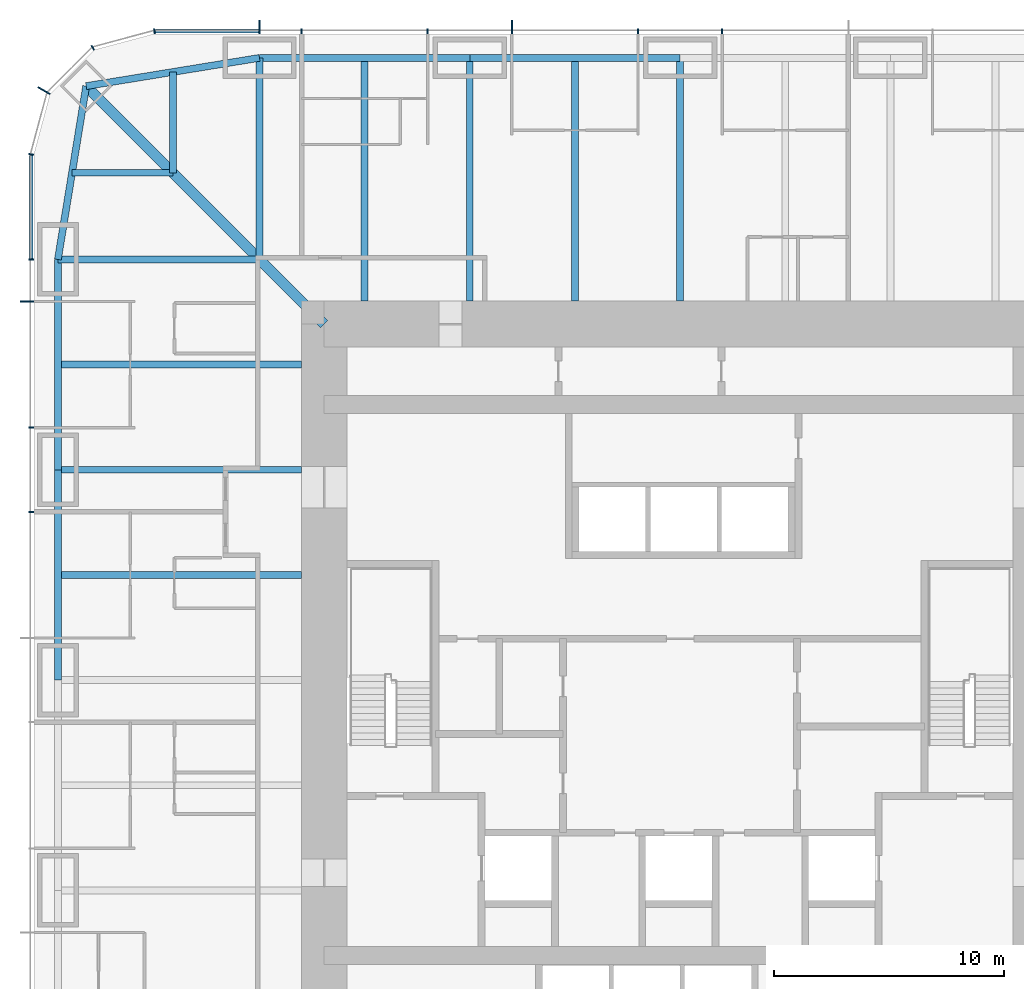
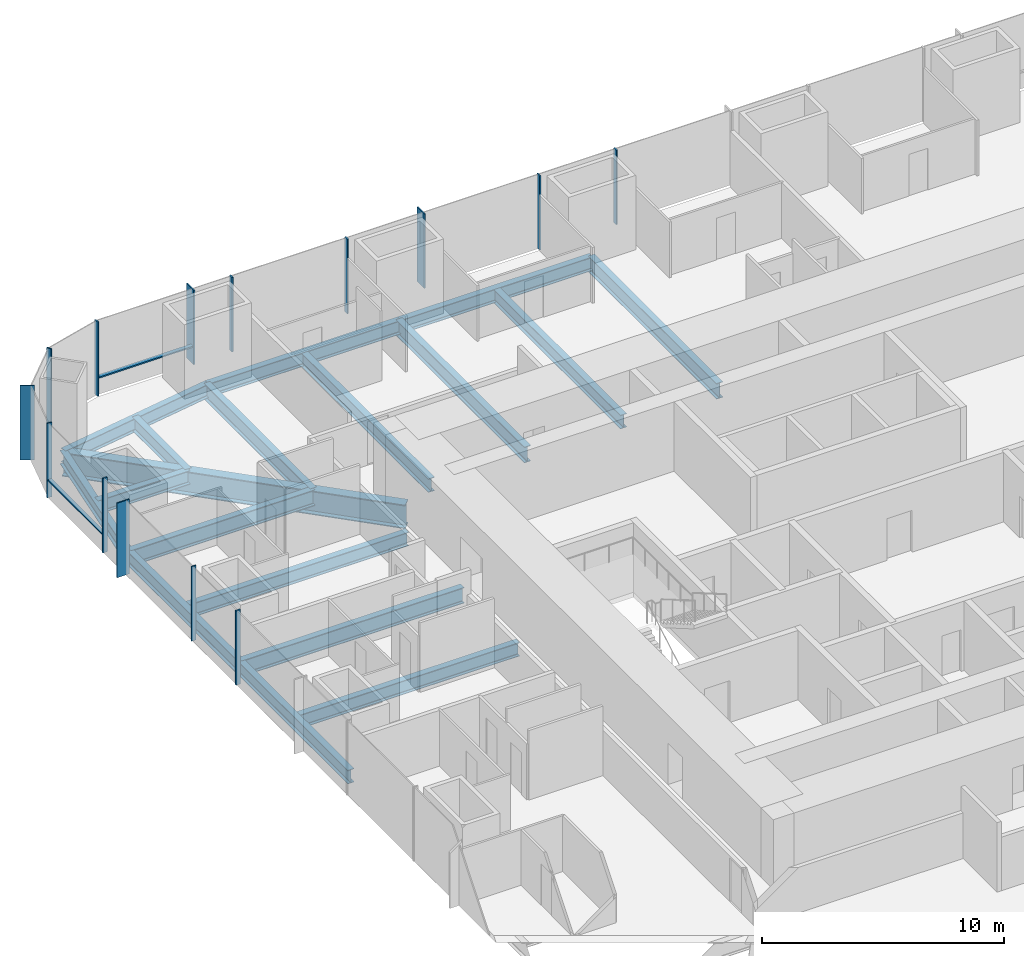
# One storey, part 4 of 12: 18 beams, 16 members, 3 elements without a shape of their own.
"""IFC4 building model written with IfcOpenShell, lengths in metres."""

from ifc_helpers import new_model, si_unit, direction, frame, origin, origin_2d, place, context, subcontext, project, spatial, rectangle, i_section, extrude, material, material_profile, profile_set, type_object, element, aggregate, save


model = new_model("IFC4")

# Units and contexts
model_context = context("Model", 3, precision=1e-05, world=origin(), true_north=direction((0.0, 1.0)))
body_context = subcontext(model_context, "Body", "Model", "MODEL_VIEW")
ifc_project = project(units=[si_unit("LENGTHUNIT", "METRE"), si_unit("AREAUNIT", "SQUARE_METRE"), si_unit("VOLUMEUNIT", "CUBIC_METRE"), si_unit("PLANEANGLEUNIT", "RADIAN"), si_unit("MASSUNIT", "GRAM", prefix="KILO")], contexts=[model_context])

# Site, building, storey
site_placement = place(None, origin())
site = spatial("IfcSite", under=ifc_project, at=site_placement, CompositionType="ELEMENT")
building_placement = place(site_placement, origin())
building = spatial("IfcBuilding", under=site, at=building_placement, Name="Khuree Lantern Residences", CompositionType="ELEMENT")
storey_placement = place(building_placement, frame((0.0, 0.0, 178.5)))
storey = spatial("IfcBuildingStorey", under=building, at=storey_placement, Name="L45", CompositionType="ELEMENT", Elevation=178.5)

# Beams
ifc_material_1 = material(Name="Steel S355", Category="steel")
ifc_material_profile_1 = material_profile(ifc_material_1, i_section(OverallWidth=0.300048828125, OverallDepth=0.68994140625, WebThickness=0.014404296875, FlangeThickness=0.027099609375, FilletRadius=0.027099609375, at=origin_2d()), Name="HE 700 A")
ifc_profile_set_1 = profile_set([ifc_material_profile_1], Name="Steel S355")
beam_type_1 = type_object("IfcBeamType", Name="B-25A SECONDARY BEAM HE 700 A", PredefinedType="BEAM", material=ifc_profile_set_1)
for number, where, z_axis, x_axis, name in (
    (1, (-13.739990234375, 27.10009765625, -0.594970703125), (0.0, -1.0, 0.0), (1.0, 0.0, 0.0), "Secondary beam N1"),
    (2, (-4.580078125, 27.10009765625, -0.594970703125), (0.0, -1.0, 0.0), (1.0, 0.0, 0.0), "Secondary beam N2"),
    (3, (-27.10009765625, 4.580078125, -0.594970703125), (1.0, 0.0, 0.0), (0.0, 1.0, 0.0), "Secondary beam W4"),
    (4, (-27.10009765625, 13.739990234375, -0.594970703125), (1.0, 0.0, 0.0), (0.0, 1.0, 0.0), "Secondary beam W5"),
):
    element("IfcBeam", number, at=place(storey_placement, frame(where, z_axis=z_axis, x_axis=x_axis)), inside=storey, type_object=beam_type_1, Name=name, PredefinedType="BEAM", context=body_context, shape_type="SweptSolid", body=[
        extrude(i_section(OverallWidth=0.300048828125, OverallDepth=0.68994140625, WebThickness=0.014404296875, FlangeThickness=0.027099609375, FilletRadius=0.027099609375, at=origin_2d()), origin(), (0.0, 0.0, 1.0), 10.60009765625),
    ])
for number, where, z_axis, x_axis, name in (
    (5, (-26.48486328125, 22.094970703125, -0.594970703125), (1.0, 0.0, 0.0), (0.0, 1.0, 0.0), "Secondary beam W6"),
    (6, (-22.094970703125, 26.48486328125, -0.594970703125), (0.0, -1.0, 0.0), (1.0, 0.0, 0.0), "Secondary beam N6"),
):
    element("IfcBeam", number, at=place(storey_placement, frame(where, z_axis=z_axis, x_axis=x_axis)), inside=storey, type_object=beam_type_1, Name=name, PredefinedType="BEAM", context=body_context, shape_type="SweptSolid", body=[
        extrude(i_section(OverallWidth=0.300048828125, OverallDepth=0.68994140625, WebThickness=0.014404296875, FlangeThickness=0.027099609375, FilletRadius=0.027099609375, at=origin_2d()), origin(), (0.0, 0.0, 1.0), 4.389892578125),
    ])
ifc_material_profile_2 = material_profile(ifc_material_1, i_section(OverallWidth=0.300048828125, OverallDepth=0.68994140625, WebThickness=0.014404296875, FlangeThickness=0.027099609375, FilletRadius=0.027099609375, at=origin_2d()), Name="HE 700 A")
ifc_profile_set_2 = profile_set([ifc_material_profile_2], Name="Steel S355")
beam_type_2 = type_object("IfcBeamType", Name="E-25 SPANDREL BEAM HE 700 A", PredefinedType="SPANDREL", material=ifc_profile_set_2)
beam_1_placement = place(storey_placement, frame((-18.320068359375, 27.10009765625, -0.594970703125), z_axis=(1.0, 0.0, 0.0), x_axis=(0.0, 1.0, 0.0)))
element("IfcBeam", 7, at=beam_1_placement, inside=storey, type_object=beam_type_2, Name="Spandrel beam N1", PredefinedType="SPANDREL", context=body_context, shape_type="SweptSolid", body=[
    extrude(i_section(OverallWidth=0.300048828125, OverallDepth=0.68994140625, WebThickness=0.014404296875, FlangeThickness=0.027099609375, FilletRadius=0.027099609375, at=origin_2d()), origin(), (0.0, 0.0, 1.0), 9.16015625),
])
for number, where, z_axis, x_axis, name in (
    (8, (-9.159912109375, 27.10009765625, -0.594970703125), (1.0, 0.0, 0.0), (0.0, 1.0, 0.0), "Spandrel beam N2"),
    (9, (-27.10009765625, 0.0, -0.594970703125), (0.0, 1.0, 0.0), (-1.0, 0.0, 0.0), "Spandrel beam W4"),
):
    element("IfcBeam", number, at=place(storey_placement, frame(where, z_axis=z_axis, x_axis=x_axis)), inside=storey, type_object=beam_type_2, Name=name, PredefinedType="SPANDREL", context=body_context, shape_type="SweptSolid", body=[
        extrude(i_section(OverallWidth=0.300048828125, OverallDepth=0.68994140625, WebThickness=0.014404296875, FlangeThickness=0.027099609375, FilletRadius=0.027099609375, at=origin_2d()), origin(), (0.0, 0.0, 1.0), 9.159912109375),
    ])
beam_2_placement = place(storey_placement, frame((-27.10009765625, 9.159912109375, -0.594970703125), z_axis=(0.0, 1.0, 0.0), x_axis=(-1.0, 0.0, 0.0)))
element("IfcBeam", 10, at=beam_2_placement, inside=storey, type_object=beam_type_2, Name="Spandrel beam W5", PredefinedType="SPANDREL", context=body_context, shape_type="SweptSolid", body=[
    extrude(i_section(OverallWidth=0.300048828125, OverallDepth=0.68994140625, WebThickness=0.014404296875, FlangeThickness=0.027099609375, FilletRadius=0.027099609375, at=origin_2d()), origin(), (0.0, 0.0, 1.0), 9.16015625),
])
for number, where, z_axis, x_axis, name in (
    (11, (-27.10009765625, 18.320068359375, -0.594970703125), (0.160826723833, 0.986982656839, 0.0), (-0.986982656839, 0.160826723833, 0.0), "Spandrel beam W6"),
    (12, (-25.869873046875, 25.869873046875, -0.594970703125), (0.986982656839, 0.160826723833, 0.0), (-0.160826723833, 0.986982656839, 0.0), "Spandrel beam N6"),
):
    element("IfcBeam", number, at=place(storey_placement, frame(where, z_axis=z_axis, x_axis=x_axis)), inside=storey, type_object=beam_type_2, Name=name, PredefinedType="SPANDREL", context=body_context, shape_type="SweptSolid", body=[
        extrude(i_section(OverallWidth=0.300048828125, OverallDepth=0.68994140625, WebThickness=0.014404296875, FlangeThickness=0.027099609375, FilletRadius=0.027099609375, at=origin_2d()), origin(), (0.0, 0.0, 1.0), 7.6494140625),
    ])

# Curtain wall, members
ifc_material_2 = material(Name="Bronze anodised aluminium", Category="aluminium")
curtain_wall_type_1 = type_object("IfcCurtainWallType", Name="CW-T1 TOWER FACE CURTAIN WALL", PredefinedType="USERDEFINED", material=ifc_material_2)
curtain_wall_1_placement = place(storey_placement, origin())
curtain_wall_1 = element("IfcCurtainWall", 13, at=curtain_wall_1_placement, inside=storey, type_object=curtain_wall_type_1, Name="L45 NORTH FACE CURTAIN WALL", ObjectType="Stick-built curtain wall", PredefinedType="USERDEFINED")
ifc_material_profile_3 = material_profile(ifc_material_2, rectangle(XDim=0.06494140625, YDim=0.60009765625, at=origin_2d()), Name="F1 65X600")
ifc_profile_set_3 = profile_set([ifc_material_profile_3], Name="Bronze anodised aluminium")
member_type_1 = type_object("IfcMemberType", Name="F1 BRONZE FIN MULLION TOWER 65X600", PredefinedType="MULLION", material=ifc_profile_set_3)
member_1_placement = place(storey_placement, frame((-7.327880859375, 28.449951171875, 0.0), z_axis=(0.0, 0.0, 1.0), x_axis=(-1.0, 0.0, 0.0)))
member_1 = element("IfcMember", 14, at=member_1_placement, type_object=member_type_1, Name="L45 NORTH FACE FIN MULLION 25", PredefinedType="MULLION", context=body_context, shape_type="SweptSolid", body=[
    extrude(rectangle(XDim=0.06494140625, YDim=0.60009765625, at=origin_2d()), origin(), (0.0, 0.0, 1.0), 3.75),
])
member_2_placement = place(storey_placement, frame((-18.320068359375, 28.449951171875, 0.0), z_axis=(0.0, 0.0, 1.0), x_axis=(-1.0, 0.0, 0.0)))
member_2 = element("IfcMember", 15, at=member_2_placement, type_object=member_type_1, Name="L45 NORTH FACE FIN MULLION 28", PredefinedType="MULLION", context=body_context, shape_type="SweptSolid", body=[
    extrude(rectangle(XDim=0.06494140625, YDim=0.60009765625, at=origin_2d()), origin(), (0.0, 0.0, 1.0), 3.75),
])

# Curtain wall, member
curtain_wall_type_2 = type_object("IfcCurtainWallType", Name="CW-T2 TOWER CORNER CURTAIN WALL", PredefinedType="USERDEFINED", material=ifc_material_2)
curtain_wall_2_placement = place(storey_placement, origin())
curtain_wall_2 = element("IfcCurtainWall", 16, at=curtain_wall_2_placement, inside=storey, type_object=curtain_wall_type_2, Name="L45 NORTH-WEST CORNER CURTAIN WALL", ObjectType="Faceted corner curtain wall", PredefinedType="USERDEFINED")
member_3_placement = place(storey_placement, frame((-27.70654296875, 25.675048828125, 0.0), z_axis=(0.0, 0.0, 1.0), x_axis=(-0.500000026995, -0.866025388199, 0.0)))
member_3 = element("IfcMember", 17, at=member_3_placement, type_object=member_type_1, Name="L45 NORTH-WEST CORNER FIN MULLION 31", PredefinedType="MULLION", context=body_context, shape_type="SweptSolid", body=[
    extrude(rectangle(XDim=0.06494140625, YDim=0.60009765625, at=origin_2d()), origin(), (0.0, 0.0, 1.0), 3.75),
])

curtain_wall_3_placement = place(storey_placement, origin())
curtain_wall_3 = element("IfcCurtainWall", 18, at=curtain_wall_3_placement, inside=storey, type_object=curtain_wall_type_1, Name="L45 WEST FACE CURTAIN WALL", ObjectType="Stick-built curtain wall", PredefinedType="USERDEFINED")
member_4_placement = place(storey_placement, frame((-28.449951171875, 16.488037109375, 0.0), z_axis=(0.0, 0.0, 1.0), x_axis=(0.0, -1.0, 0.0)))
member_4 = element("IfcMember", 19, at=member_4_placement, type_object=member_type_1, Name="L45 WEST FACE FIN MULLION 34", PredefinedType="MULLION", context=body_context, shape_type="SweptSolid", body=[
    extrude(rectangle(XDim=0.06494140625, YDim=0.60009765625, at=origin_2d()), origin(), (0.0, 0.0, 1.0), 3.75),
])

# Beams
ifc_material_profile_4 = material_profile(ifc_material_1, i_section(OverallWidth=0.300048828125, OverallDepth=0.800048828125, WebThickness=0.017578125, FlangeThickness=0.032958984375, FilletRadius=0.030029296875, at=origin_2d()), Name="HE 800 B")
ifc_profile_set_4 = profile_set([ifc_material_profile_4], Name="Steel S355")
beam_type_3 = type_object("IfcBeamType", Name="G-25A GIRDER HE 800 B", PredefinedType="BEAM", material=ifc_profile_set_4)
beam_3_placement = place(storey_placement, frame((-18.320068359375, 27.10009765625, -0.64990234375), z_axis=(0.0, -1.0, 0.0), x_axis=(1.0, 0.0, 0.0)))
element("IfcBeam", 20, at=beam_3_placement, inside=storey, type_object=beam_type_3, Name="Girder N1", PredefinedType="BEAM", context=body_context, shape_type="SweptSolid", body=[
    extrude(i_section(OverallWidth=0.300048828125, OverallDepth=0.800048828125, WebThickness=0.017578125, FlangeThickness=0.032958984375, FilletRadius=0.030029296875, at=origin_2d()), origin(), (0.0, 0.0, 1.0), 8.780029296875),
])
for number, where, z_axis, x_axis, name in (
    (21, (-9.159912109375, 27.10009765625, -0.64990234375), (0.0, -1.0, 0.0), (1.0, 0.0, 0.0), "Girder N2"),
    (22, (0.0, 27.10009765625, -0.64990234375), (0.0, -1.0, 0.0), (1.0, 0.0, 0.0), "Girder N3"),
    (23, (-27.10009765625, 9.159912109375, -0.64990234375), (1.0, 0.0, 0.0), (0.0, 1.0, 0.0), "Girder W4"),
):
    element("IfcBeam", number, at=place(storey_placement, frame(where, z_axis=z_axis, x_axis=x_axis)), inside=storey, type_object=beam_type_3, Name=name, PredefinedType="BEAM", context=body_context, shape_type="SweptSolid", body=[
        extrude(i_section(OverallWidth=0.300048828125, OverallDepth=0.800048828125, WebThickness=0.017578125, FlangeThickness=0.032958984375, FilletRadius=0.030029296875, at=origin_2d()), origin(), (0.0, 0.0, 1.0), 10.60009765625),
    ])
beam_4_placement = place(storey_placement, frame((-27.10009765625, 18.320068359375, -0.64990234375), z_axis=(1.0, 0.0, 0.0), x_axis=(0.0, 1.0, 0.0)))
element("IfcBeam", 24, at=beam_4_placement, inside=storey, type_object=beam_type_3, Name="Girder W5", PredefinedType="BEAM", context=body_context, shape_type="SweptSolid", body=[
    extrude(i_section(OverallWidth=0.300048828125, OverallDepth=0.800048828125, WebThickness=0.017578125, FlangeThickness=0.032958984375, FilletRadius=0.030029296875, at=origin_2d()), origin(), (0.0, 0.0, 1.0), 8.780029296875),
])
ifc_material_profile_5 = material_profile(ifc_material_1, i_section(OverallWidth=0.449951171875, OverallDepth=1.199951171875, WebThickness=0.02490234375, FlangeThickness=0.044921875, at=origin_2d()), Name="WELDED I 1200X450X25X45")
ifc_profile_set_5 = profile_set([ifc_material_profile_5], Name="Steel S355")
beam_type_4 = type_object("IfcBeamType", Name="GD-25 CORNER GIRDER WELDED I 1200X450X25X45", PredefinedType="BEAM", material=ifc_profile_set_5)
beam_5_placement = place(storey_placement, frame((-25.869873046875, 25.869873046875, -0.85009765625), z_axis=(0.707106781187, -0.707106781187, 0.0), x_axis=(0.707106781187, 0.707106781187, 0.0)))
element("IfcBeam", 25, at=beam_5_placement, inside=storey, type_object=beam_type_4, Name="Corner girder NW", PredefinedType="BEAM", context=body_context, shape_type="SweptSolid", body=[
    extrude(i_section(OverallWidth=0.449951171875, OverallDepth=1.199951171875, WebThickness=0.02490234375, FlangeThickness=0.044921875, at=origin_2d()), origin(), (0.0, 0.0, 1.0), 14.665283203125),
])

# Member
ifc_material_profile_6 = material_profile(ifc_material_2, rectangle(XDim=0.06494140625, YDim=0.219970703125, at=origin_2d()), Name="M1 65X220")
ifc_profile_set_6 = profile_set([ifc_material_profile_6], Name="Bronze anodised aluminium")
member_type_2 = type_object("IfcMemberType", Name="M1 BRONZE MULLION TOWER 65X220", PredefinedType="MULLION", material=ifc_profile_set_6)
member_5_placement = place(storey_placement, frame((1.83203125, 28.260009765625, 0.0), z_axis=(0.0, 0.0, 1.0), x_axis=(-1.0, 0.0, 0.0)))
member_5 = element("IfcMember", 26, at=member_5_placement, type_object=member_type_2, Name="L45 NORTH FACE MULLION 23", PredefinedType="MULLION", context=body_context, shape_type="SweptSolid", body=[
    extrude(rectangle(XDim=0.06494140625, YDim=0.219970703125, at=origin_2d()), origin(), (0.0, 0.0, 1.0), 3.75),
])

member_6_placement = place(storey_placement, frame((-1.83203125, 28.260009765625, 0.0), z_axis=(0.0, 0.0, 1.0), x_axis=(-1.0, 0.0, 0.0)))
member_6 = element("IfcMember", 27, at=member_6_placement, type_object=member_type_2, Name="L45 NORTH FACE MULLION 24", PredefinedType="MULLION", context=body_context, shape_type="SweptSolid", body=[
    extrude(rectangle(XDim=0.06494140625, YDim=0.219970703125, at=origin_2d()), origin(), (0.0, 0.0, 1.0), 3.75),
])

member_7_placement = place(storey_placement, frame((-10.991943359375, 28.260009765625, 0.0), z_axis=(0.0, 0.0, 1.0), x_axis=(-1.0, 0.0, 0.0)))
member_7 = element("IfcMember", 28, at=member_7_placement, type_object=member_type_2, Name="L45 NORTH FACE MULLION 26", PredefinedType="MULLION", context=body_context, shape_type="SweptSolid", body=[
    extrude(rectangle(XDim=0.06494140625, YDim=0.219970703125, at=origin_2d()), origin(), (0.0, 0.0, 1.0), 3.75),
])

member_8_placement = place(storey_placement, frame((-16.488037109375, 28.260009765625, 0.0), z_axis=(0.0, 0.0, 1.0), x_axis=(-1.0, 0.0, 0.0)))
member_8 = element("IfcMember", 29, at=member_8_placement, type_object=member_type_2, Name="L45 NORTH FACE MULLION 27", PredefinedType="MULLION", context=body_context, shape_type="SweptSolid", body=[
    extrude(rectangle(XDim=0.06494140625, YDim=0.219970703125, at=origin_2d()), origin(), (0.0, 0.0, 1.0), 3.75),
])

member_9_placement = place(storey_placement, frame((-22.89501953125, 28.26171875, 0.0), z_axis=(0.0, 0.0, 1.0), x_axis=(-0.991444857305, -0.130526223125, 0.0)))
member_9 = element("IfcMember", 30, at=member_9_placement, type_object=member_type_2, Name="L45 NORTH-WEST CORNER MULLION 29", PredefinedType="MULLION", context=body_context, shape_type="SweptSolid", body=[
    extrude(rectangle(XDim=0.06494140625, YDim=0.219970703125, at=origin_2d()), origin(), (0.0, 0.0, 1.0), 3.75),
])

member_10_placement = place(storey_placement, frame((-25.580078125, 27.5419921875, 0.0), z_axis=(0.0, 0.0, 1.0), x_axis=(-0.866025388199, -0.500000026995, 0.0)))
member_10 = element("IfcMember", 31, at=member_10_placement, type_object=member_type_2, Name="L45 NORTH-WEST CORNER MULLION 30", PredefinedType="MULLION", context=body_context, shape_type="SweptSolid", body=[
    extrude(rectangle(XDim=0.06494140625, YDim=0.219970703125, at=origin_2d()), origin(), (0.0, 0.0, 1.0), 3.75),
])

aggregate(curtain_wall_2, [member_9, member_10, member_3])

member_11_placement = place(storey_placement, frame((-28.26171875, 22.89501953125, 0.0), z_axis=(0.0, 0.0, 1.0), x_axis=(-0.130526223125, -0.991444857305, 0.0)))
member_11 = element("IfcMember", 32, at=member_11_placement, type_object=member_type_2, Name="L45 WEST FACE MULLION 32", PredefinedType="MULLION", context=body_context, shape_type="SweptSolid", body=[
    extrude(rectangle(XDim=0.06494140625, YDim=0.219970703125, at=origin_2d()), origin(), (0.0, 0.0, 1.0), 3.75),
])

member_12_placement = place(storey_placement, frame((-28.260009765625, 18.320068359375, 0.0), z_axis=(0.0, 0.0, 1.0), x_axis=(0.0, -1.0, 0.0)))
member_12 = element("IfcMember", 33, at=member_12_placement, type_object=member_type_2, Name="L45 WEST FACE MULLION 33", PredefinedType="MULLION", context=body_context, shape_type="SweptSolid", body=[
    extrude(rectangle(XDim=0.06494140625, YDim=0.219970703125, at=origin_2d()), origin(), (0.0, 0.0, 1.0), 3.75),
])

member_13_placement = place(storey_placement, frame((-28.260009765625, 10.991943359375, 0.0), z_axis=(0.0, 0.0, 1.0), x_axis=(0.0, -1.0, 0.0)))
member_13 = element("IfcMember", 34, at=member_13_placement, type_object=member_type_2, Name="L45 WEST FACE MULLION 35", PredefinedType="MULLION", context=body_context, shape_type="SweptSolid", body=[
    extrude(rectangle(XDim=0.06494140625, YDim=0.219970703125, at=origin_2d()), origin(), (0.0, 0.0, 1.0), 3.75),
])

member_14_placement = place(storey_placement, frame((-28.260009765625, 7.327880859375, 0.0), z_axis=(0.0, 0.0, 1.0), x_axis=(0.0, -1.0, 0.0)))
member_14 = element("IfcMember", 35, at=member_14_placement, type_object=member_type_2, Name="L45 WEST FACE MULLION 36", PredefinedType="MULLION", context=body_context, shape_type="SweptSolid", body=[
    extrude(rectangle(XDim=0.06494140625, YDim=0.219970703125, at=origin_2d()), origin(), (0.0, 0.0, 1.0), 3.75),
])

ifc_material_profile_7 = material_profile(ifc_material_2, rectangle(XDim=0.179931640625, YDim=0.06494140625, at=origin_2d()), Name="T1 180X65")
ifc_profile_set_7 = profile_set([ifc_material_profile_7], Name="Bronze anodised aluminium")
member_type_3 = type_object("IfcMemberType", Name="TRANSOM T1 TOWER 180X65", PredefinedType="USERDEFINED", material=ifc_profile_set_7)
member_15_placement = place(storey_placement, frame((-18.3525390625, 28.27001953125, 0.89990234375), z_axis=(-1.0, 0.0, 0.0), x_axis=(0.0, -1.0, 0.0)))
member_15 = element("IfcMember", 36, at=member_15_placement, type_object=member_type_3, Name="L45 NORTH FACE TRANSOM 28.1", ObjectType="Transom", PredefinedType="USERDEFINED", context=body_context, shape_type="SweptSolid", body=[
    extrude(rectangle(XDim=0.179931640625, YDim=0.06494140625, at=origin_2d()), origin(), (0.0, 0.0, 1.0), 4.498779296875),
])

aggregate(curtain_wall_1, [member_5, member_6, member_1, member_7, member_8, member_2, member_15])

member_16_placement = place(storey_placement, frame((-28.27001953125, 22.851318359375, 0.89990234375), z_axis=(0.0, -1.0, 0.0), x_axis=(1.0, 0.0, 0.0)))
member_16 = element("IfcMember", 37, at=member_16_placement, type_object=member_type_3, Name="L45 WEST FACE TRANSOM 32.1", ObjectType="Transom", PredefinedType="USERDEFINED", context=body_context, shape_type="SweptSolid", body=[
    extrude(rectangle(XDim=0.179931640625, YDim=0.06494140625, at=origin_2d()), origin(), (0.0, 0.0, 1.0), 4.498779296875),
])

aggregate(curtain_wall_3, [member_11, member_12, member_4, member_13, member_14, member_16])

save(model, "model.ifc")
